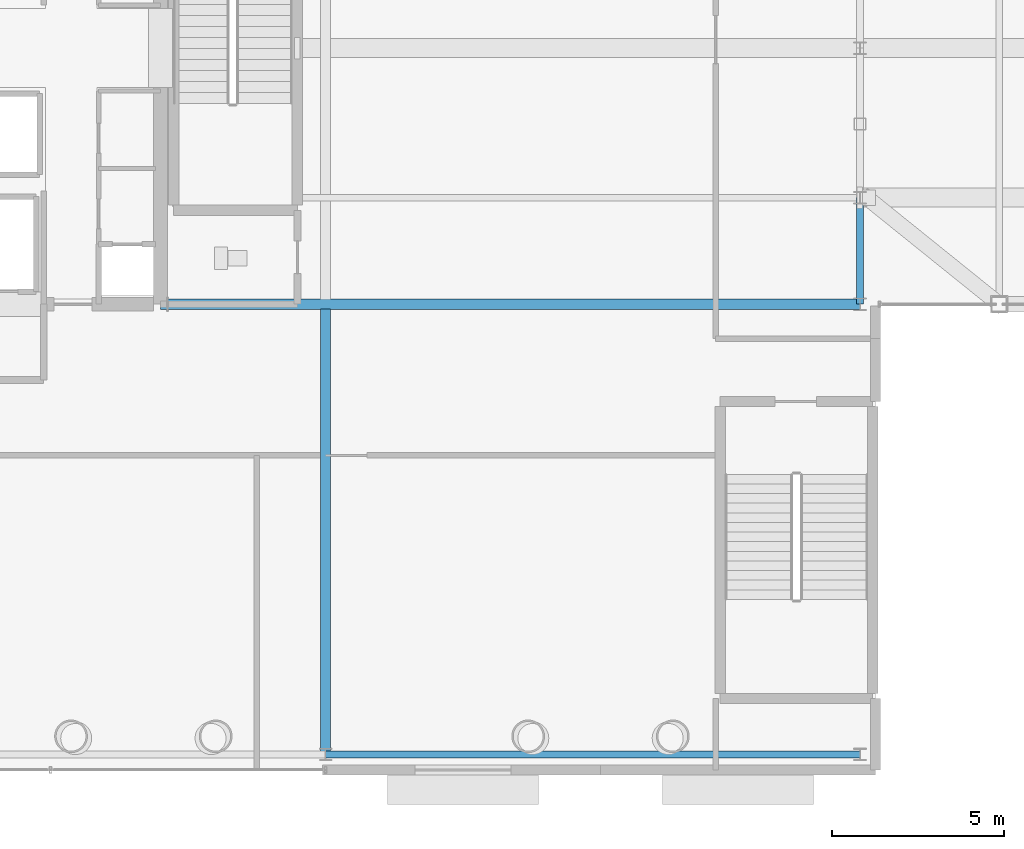
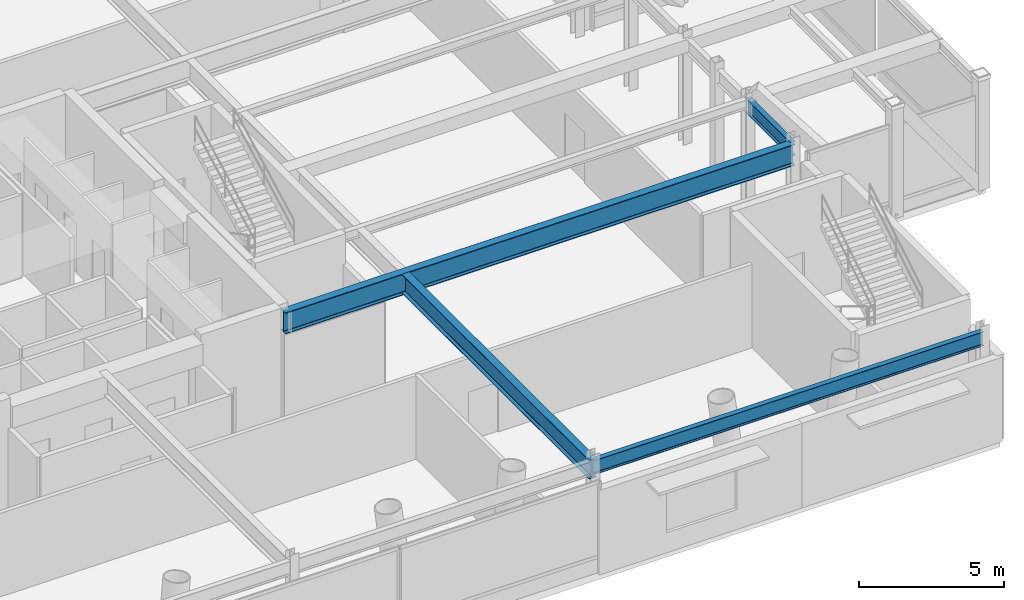
# One storey, part 9 of 26: 4 beams.
"""IFC4 building model written with IfcOpenShell, lengths in metres."""

from ifc_helpers import new_model, si_unit, direction, frame, origin, origin_2d, place, context, subcontext, project, spatial, i_section, extrude, material, material_profile, profile_set, type_object, element, save


model = new_model("IFC4")

# Units and contexts
model_context = context("Model", 3, precision=1e-05, world=origin(), true_north=direction((0.0, 1.0)))
body_context = subcontext(model_context, "Body", "Model", "MODEL_VIEW")
ifc_project = project(units=[si_unit("LENGTHUNIT", "METRE"), si_unit("AREAUNIT", "SQUARE_METRE"), si_unit("VOLUMEUNIT", "CUBIC_METRE"), si_unit("PLANEANGLEUNIT", "RADIAN"), si_unit("MASSUNIT", "GRAM", prefix="KILO")], contexts=[model_context])

# Site, building, storey
site_placement = place(None, origin())
site = spatial("IfcSite", under=ifc_project, at=site_placement, CompositionType="ELEMENT")
building_placement = place(site_placement, origin())
building = spatial("IfcBuilding", under=site, at=building_placement, Name="Veldorina Hangang Commons", CompositionType="ELEMENT")
storey_placement = place(building_placement, frame((0.0, 0.0, 10.0)))
storey = spatial("IfcBuildingStorey", under=building, at=storey_placement, Name="L02", CompositionType="ELEMENT", Elevation=10.0)

# Beams
ifc_material_1 = material(Name="Steel SM460-TMC", Category="steel")
ifc_material_profile_1 = material_profile(ifc_material_1, i_section(OverallWidth=0.300048828125, OverallDepth=0.800048828125, WebThickness=0.013916015625, FlangeThickness=0.02587890625, FilletRadius=0.02197265625, at=origin_2d()), Name="H-800x300x14x26")
ifc_profile_set_1 = profile_set([ifc_material_profile_1], Name="Steel SM460-TMC")
beam_type_1 = type_object("IfcBeamType", Name="BM-PG800", PredefinedType="BEAM", material=ifc_profile_set_1)
beam_1_placement = place(storey_placement, frame((44.0, 3.449951171875, 4.10009765625), z_axis=(0.0, 1.0, 0.0), x_axis=(-1.0, 0.0, 0.0)))
element("IfcBeam", 1, at=beam_1_placement, inside=storey, type_object=beam_type_1, Name="L02 south primary girder G7", PredefinedType="BEAM", context=body_context, shape_type="SweptSolid", body=[
    extrude(i_section(OverallWidth=0.300048828125, OverallDepth=0.800048828125, WebThickness=0.013916015625, FlangeThickness=0.02587890625, FilletRadius=0.02197265625, at=origin_2d()), origin(), (0.0, 0.0, 1.0), 12.9599609375),
])
ifc_material_profile_2 = material_profile(ifc_material_1, i_section(OverallWidth=0.300048828125, OverallDepth=0.89990234375, WebThickness=0.01611328125, FlangeThickness=0.028076171875, FilletRadius=0.02197265625, at=origin_2d()), Name="H-900x300x16x28")
ifc_profile_set_2 = profile_set([ifc_material_profile_2], Name="Steel SM460-TMC")
beam_type_2 = type_object("IfcBeamType", Name="BM-PG900", PredefinedType="BEAM", material=ifc_profile_set_2)
beam_2_placement = place(storey_placement, frame((39.199951171875, 16.550048828125, 4.050048828125), z_axis=(1.0, 0.0, 0.0), x_axis=(0.0, 1.0, 0.0)))
element("IfcBeam", 2, at=beam_2_placement, inside=storey, type_object=beam_type_2, Name="L02 east collector girder GD", PredefinedType="BEAM", context=body_context, shape_type="SweptSolid", body=[
    extrude(i_section(OverallWidth=0.300048828125, OverallDepth=0.89990234375, WebThickness=0.01611328125, FlangeThickness=0.028076171875, FilletRadius=0.02197265625, at=origin_2d()), origin(), (0.0, 0.0, 1.0), 20.35009765625),
])
ifc_material_2 = material(Name="Steel SM420-TMC", Category="steel")
ifc_material_profile_3 = material_profile(ifc_material_2, i_section(OverallWidth=0.199951171875, OverallDepth=0.60009765625, WebThickness=0.010986328125, FlangeThickness=0.01708984375, FilletRadius=0.01806640625, at=origin_2d()), Name="H-600x200x11x17")
ifc_profile_set_3 = profile_set([ifc_material_profile_3], Name="Steel SM420-TMC")
beam_type_3 = type_object("IfcBeamType", Name="BM-SPN600", PredefinedType="SPANDREL", material=ifc_profile_set_3)
beam_3_placement = place(storey_placement, frame((44.0, 3.449951171875, 4.199951171875), z_axis=(1.0, 0.0, 0.0), x_axis=(0.0, 1.0, 0.0)))
element("IfcBeam", 3, at=beam_3_placement, inside=storey, type_object=beam_type_3, Name="L02 south spandrel beam 4", PredefinedType="SPANDREL", context=body_context, shape_type="SweptSolid", body=[
    extrude(i_section(OverallWidth=0.199951171875, OverallDepth=0.60009765625, WebThickness=0.010986328125, FlangeThickness=0.01708984375, FilletRadius=0.01806640625, at=origin_2d()), origin(), (0.0, 0.0, 1.0), 15.550048828125),
])
beam_4_placement = place(storey_placement, frame((59.550048828125, 16.550048828125, 4.199951171875), z_axis=(0.0, 1.0, 0.0), x_axis=(-1.0, 0.0, 0.0)))
element("IfcBeam", 4, at=beam_4_placement, inside=storey, type_object=beam_type_3, Name="L02 east spandrel beam 2", PredefinedType="SPANDREL", context=body_context, shape_type="SweptSolid", body=[
    extrude(i_section(OverallWidth=0.199951171875, OverallDepth=0.60009765625, WebThickness=0.010986328125, FlangeThickness=0.01708984375, FilletRadius=0.01806640625, at=origin_2d()), origin(), (0.0, 0.0, 1.0), 3.099853515625),
])

save(model, "model.ifc")
